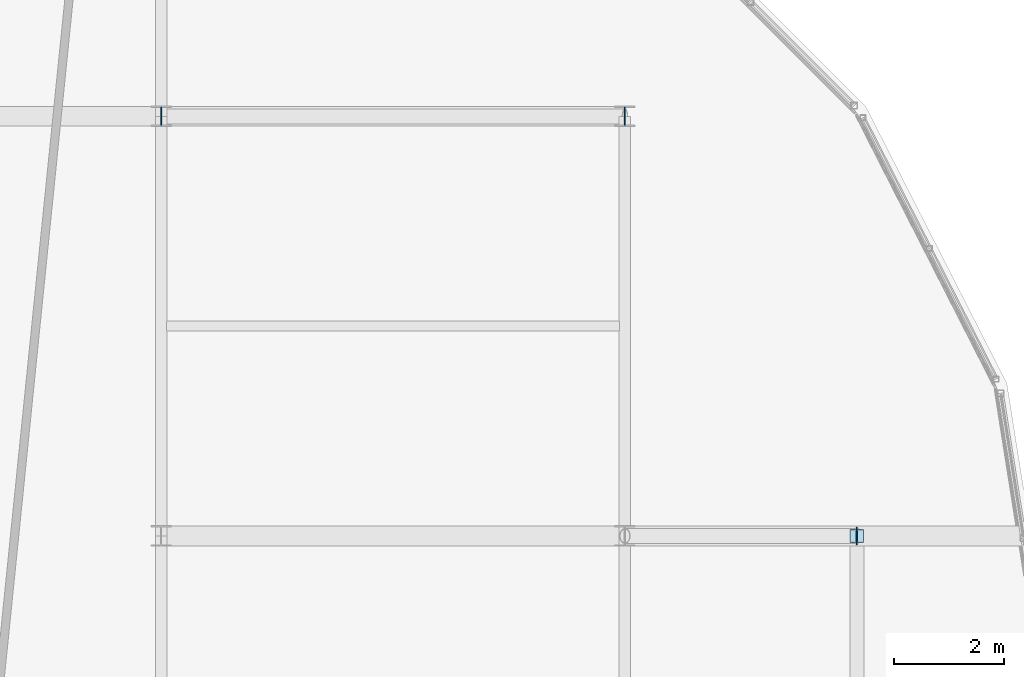
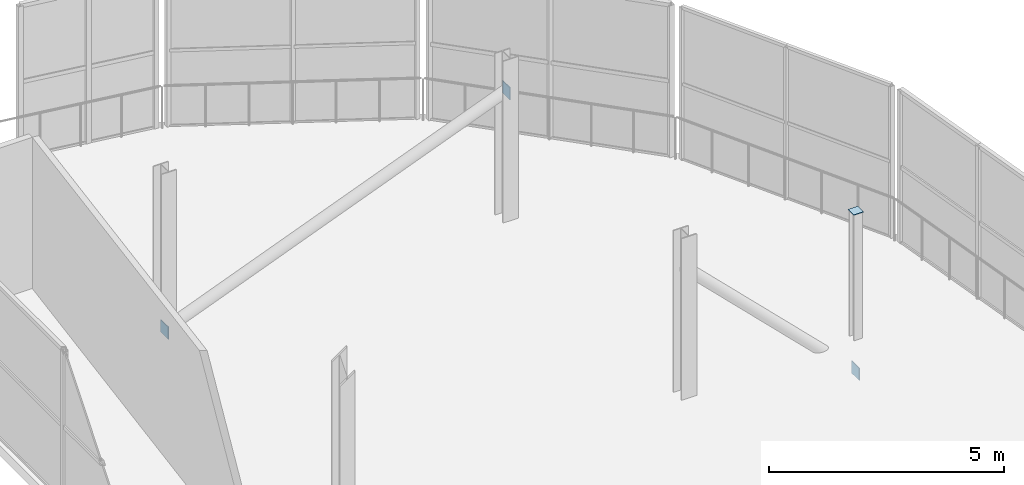
# One storey, part 191 of 217: 4 plates.
"""IFC4 building model written with IfcOpenShell, lengths in metres."""

from ifc_helpers import new_model, si_unit, direction, frame, origin, origin_2d, place, context, subcontext, project, spatial, rectangle, extrude, material, layer, layer_set, type_object, element, save


model = new_model("IFC4")

# Units and contexts
model_context = context("Model", 3, precision=1e-05, world=origin(), true_north=direction((0.0, 1.0)))
body_context = subcontext(model_context, "Body", "Model", "MODEL_VIEW")
ifc_project = project(units=[si_unit("LENGTHUNIT", "METRE"), si_unit("AREAUNIT", "SQUARE_METRE"), si_unit("VOLUMEUNIT", "CUBIC_METRE"), si_unit("PLANEANGLEUNIT", "RADIAN"), si_unit("MASSUNIT", "GRAM", prefix="KILO")], contexts=[model_context])

# Site, building, storey
site_placement = place(None, origin())
site = spatial("IfcSite", under=ifc_project, at=site_placement, CompositionType="ELEMENT")
building_placement = place(site_placement, origin())
building = spatial("IfcBuilding", under=site, at=building_placement, Name="Zuvorla Pavilion Media Centre", CompositionType="ELEMENT")
storey_placement = place(building_placement, frame((0.0, 0.0, 9.60009765625)))
storey = spatial("IfcBuildingStorey", under=building, at=storey_placement, Name="L02", CompositionType="ELEMENT", Elevation=9.60009765625)

# Plates
ifc_material = material(Name="Steel S355", Category="steel")
ifc_layer_1 = layer(ifc_material, 0.01611328125)
ifc_layer_set_1 = layer_set([ifc_layer_1], Name="Steel S355")
plate_type_1 = type_object("IfcPlateType", Name="PLT-CAP-16", PredefinedType="USERDEFINED", material=ifc_layer_set_1)
plate_placement = place(storey_placement, frame((171.800048828125, 74.39990234375, 3.271728515625), z_axis=(0.0, 0.0, 1.0), x_axis=(1.0, 0.0, 0.0)))
element("IfcPlate", 1, at=plate_placement, inside=storey, type_object=plate_type_1, Name="L02 cap plate CP16 188", ObjectType="CAP_PLATE", PredefinedType="USERDEFINED", context=body_context, shape_type="SweptSolid", body=[
    extrude(rectangle(XDim=0.239990234375, YDim=0.239990234375, at=origin_2d()), origin(), (0.0, 0.0, 1.0), 0.01611328125),
])
ifc_layer_2 = layer(ifc_material, 0.02001953125)
ifc_layer_set_2 = layer_set([ifc_layer_2], Name="Steel S355")
plate_type_2 = type_object("IfcPlateType", Name="PLT-GUS-20", PredefinedType="USERDEFINED", material=ifc_layer_set_2)
for number, where, z_axis, x_axis, name in (
    (2, (171.800048828125, 74.39990234375, -1.0302734375), (0.0, 0.0, 1.0), (1.0, 0.0, 0.0), "L02 gusset plate GP20 187"),
    (3, (159.199951171875, 82.0, -0.16015625), (0.0, 0.0, 1.0), (1.0, 0.0, 0.0), "L02 gusset plate GP20 207"),
    (4, (167.60009765625, 82.0, 3.11962890625), (0.0, 0.0, 1.0), (1.0, 0.0, 0.0), "L02 gusset plate GP20 208"),
):
    element("IfcPlate", number, at=place(storey_placement, frame(where, z_axis=z_axis, x_axis=x_axis)), inside=storey, type_object=plate_type_2, Name=name, ObjectType="GUSSET_PLATE", PredefinedType="USERDEFINED", context=body_context, shape_type="SweptSolid", body=[
        extrude(rectangle(XDim=0.02001953125, YDim=0.320068359375, at=origin_2d()), origin(), (0.0, 0.0, 1.0), 0.320068359375),
    ])

save(model, "model.ifc")
